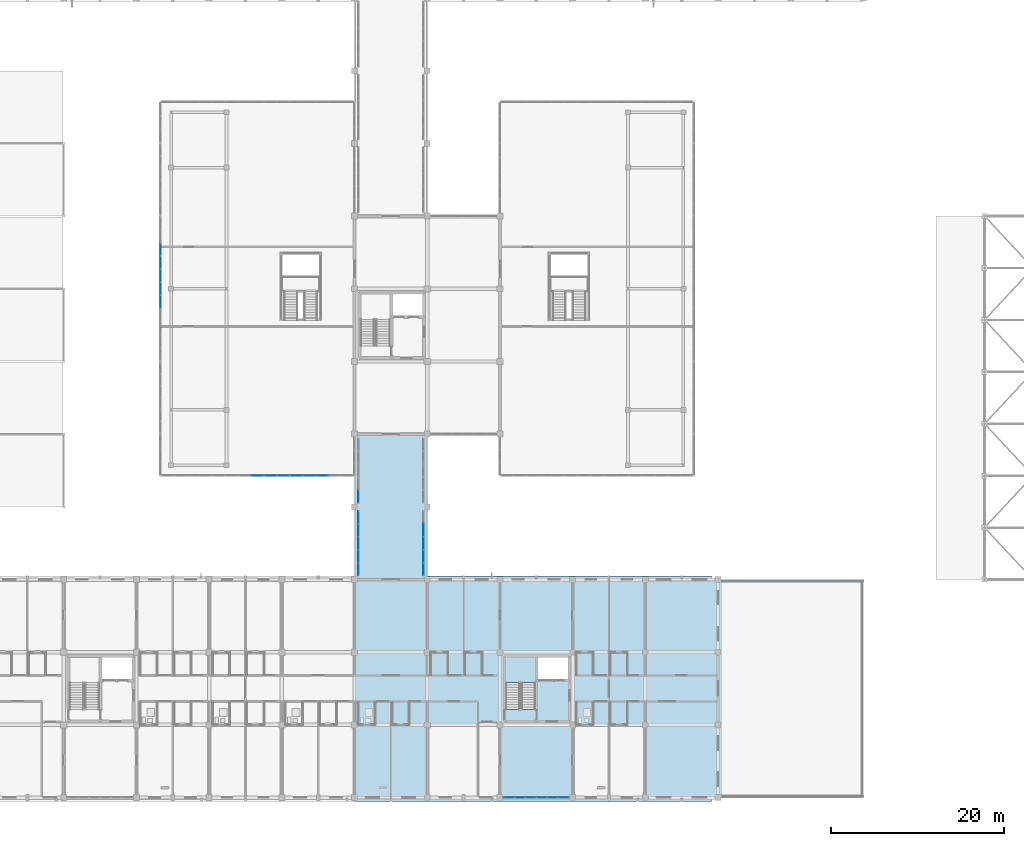
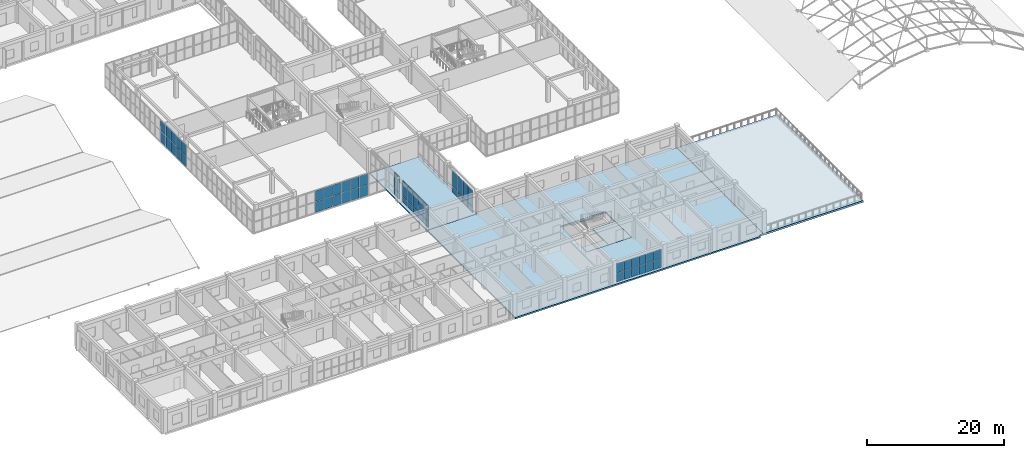
# One storey, part 97 of 140: 54 plates, 6 slabs, 8 elements without a shape of their own.
"""IFC4 building model written with IfcOpenShell, lengths in metres."""

from ifc_helpers import new_model, si_unit, direction, frame, origin, origin_2d, place, context, subcontext, project, spatial, polyline, rectangle, outline, extrude, material, layer, layer_set, type_object, element, aggregate, save


model = new_model("IFC4")

# Units and contexts
model_context = context("Model", 3, precision=1e-05, world=origin(), true_north=direction((0.0, 1.0)))
body_context = subcontext(model_context, "Body", "Model", "MODEL_VIEW")
ifc_project = project(units=[si_unit("LENGTHUNIT", "METRE"), si_unit("AREAUNIT", "SQUARE_METRE"), si_unit("VOLUMEUNIT", "CUBIC_METRE"), si_unit("PLANEANGLEUNIT", "RADIAN"), si_unit("MASSUNIT", "GRAM", prefix="KILO")], contexts=[model_context])

# Site, building, storey
site_placement = place(None, origin())
site = spatial("IfcSite", under=ifc_project, at=site_placement, CompositionType="ELEMENT")
building_placement = place(site_placement, origin())
building = spatial("IfcBuilding", under=site, at=building_placement, Name="Trelvath General Hospital", CompositionType="ELEMENT")
storey_placement = place(building_placement, frame((0.0, 0.0, 16.199951171875)))
storey = spatial("IfcBuildingStorey", under=building, at=storey_placement, Name="L04", CompositionType="ELEMENT", Elevation=16.199951171875)

# Slab
ifc_material_1 = material(Name="Concrete C35/45", Category="concrete")
ifc_layer_1 = layer(ifc_material_1, 0.18994140625)
ifc_layer_set_1 = layer_set([ifc_layer_1], Name="Concrete C35/45")
slab_type_1 = type_object("IfcSlabType", Name="BridgeDeck 190", PredefinedType="FLOOR", material=ifc_layer_set_1)
slab_1_placement = place(storey_placement, frame((0.0, 0.0, -0.18994140625)))
element("IfcSlab", 1, at=slab_1_placement, inside=storey, type_object=slab_type_1, Name="Courtyard Bridge Deck BRG-S-C L04", PredefinedType="FLOOR", context=body_context, shape_type="SweptSolid", body=[
    extrude(outline(polyline([(75.60009765625, 25.199951171875), (84.0, 25.199951171875), (84.0, 42.0), (75.60009765625, 42.0), (75.60009765625, 25.199951171875)])), origin(), (0.0, 0.0, 1.0), 0.18994140625),
])

# Curtain wall, plates
ifc_material_2 = material(Name="Anodised aluminium and low-E glass", Category="aluminium")
ifc_layer_2 = layer(ifc_material_2, 0.14990234375)
ifc_layer_set_2 = layer_set([ifc_layer_2], Name="Anodised aluminium and low-E glass")
curtain_wall_type_1 = type_object("IfcCurtainWallType", Name="CW Facade 761 332 15", PredefinedType="USERDEFINED", material=ifc_layer_set_2)
curtain_wall_1_placement = place(storey_placement, origin())
curtain_wall_1 = element("IfcCurtainWall", 2, at=curtain_wall_1_placement, inside=storey, type_object=curtain_wall_type_1, Name="Facade Curtain Wall CW-066", ObjectType="Unitised Glazed Curtain Wall", PredefinedType="USERDEFINED")
ifc_material_3 = material(Name="Low-E laminated glass", Category="glass")
ifc_layer_3 = layer(ifc_material_3, 0.028076171875)
ifc_layer_set_3 = layer_set([ifc_layer_3], Name="Low-E laminated glass")
plate_type = type_object("IfcPlateType", Name="CurtainPanel Glass28", PredefinedType="CURTAIN_PANEL", material=ifc_layer_set_3)
plate_1_placement = place(storey_placement, frame((99.755859375, 0.0, 0.06005859375), z_axis=(0.0, 0.0, 1.0), x_axis=(-1.0, 0.0, 0.0)))
plate_1 = element("IfcPlate", 3, at=plate_1_placement, type_object=plate_type, Name="CW-066 panel 1.1", PredefinedType="CURTAIN_PANEL", context=body_context, shape_type="SweptSolid", body=[
    extrude(rectangle(XDim=1.17822265625, YDim=0.028076171875, at=origin_2d()), origin(), (0.0, 0.0, 1.0), 1.50390625),
])
plate_2_placement = place(storey_placement, frame((99.755859375, 0.0, 1.6240234375), z_axis=(0.0, 0.0, 1.0), x_axis=(-1.0, 0.0, 0.0)))
plate_2 = element("IfcPlate", 4, at=plate_2_placement, type_object=plate_type, Name="CW-066 panel 1.2", PredefinedType="CURTAIN_PANEL", context=body_context, shape_type="SweptSolid", body=[
    extrude(rectangle(XDim=1.17822265625, YDim=0.028076171875, at=origin_2d()), origin(), (0.0, 0.0, 1.0), 1.635986328125),
])
plate_3_placement = place(storey_placement, frame((98.50244140625, 0.0, 0.06005859375), z_axis=(0.0, 0.0, 1.0), x_axis=(-1.0, 0.0, 0.0)))
plate_3 = element("IfcPlate", 5, at=plate_3_placement, type_object=plate_type, Name="CW-066 panel 2.1", PredefinedType="CURTAIN_PANEL", context=body_context, shape_type="SweptSolid", body=[
    extrude(rectangle(XDim=1.208251953125, YDim=0.028076171875, at=origin_2d()), origin(), (0.0, 0.0, 1.0), 1.50390625),
])
plate_4_placement = place(storey_placement, frame((98.50244140625, 0.0, 1.6240234375), z_axis=(0.0, 0.0, 1.0), x_axis=(-1.0, 0.0, 0.0)))
plate_4 = element("IfcPlate", 6, at=plate_4_placement, type_object=plate_type, Name="CW-066 panel 2.2", PredefinedType="CURTAIN_PANEL", context=body_context, shape_type="SweptSolid", body=[
    extrude(rectangle(XDim=1.208251953125, YDim=0.028076171875, at=origin_2d()), origin(), (0.0, 0.0, 1.0), 1.635986328125),
])
plate_5_placement = place(storey_placement, frame((97.234130859375, 0.0, 0.06005859375), z_axis=(0.0, 0.0, 1.0), x_axis=(-1.0, 0.0, 0.0)))
plate_5 = element("IfcPlate", 7, at=plate_5_placement, type_object=plate_type, Name="CW-066 panel 3.1", PredefinedType="CURTAIN_PANEL", context=body_context, shape_type="SweptSolid", body=[
    extrude(rectangle(XDim=1.208251953125, YDim=0.028076171875, at=origin_2d()), origin(), (0.0, 0.0, 1.0), 1.50390625),
])
plate_6_placement = place(storey_placement, frame((97.234130859375, 0.0, 1.6240234375), z_axis=(0.0, 0.0, 1.0), x_axis=(-1.0, 0.0, 0.0)))
plate_6 = element("IfcPlate", 8, at=plate_6_placement, type_object=plate_type, Name="CW-066 panel 3.2", PredefinedType="CURTAIN_PANEL", context=body_context, shape_type="SweptSolid", body=[
    extrude(rectangle(XDim=1.208251953125, YDim=0.028076171875, at=origin_2d()), origin(), (0.0, 0.0, 1.0), 1.635986328125),
])
plate_7_placement = place(storey_placement, frame((95.9658203125, 0.0, 0.06005859375), z_axis=(0.0, 0.0, 1.0), x_axis=(-1.0, 0.0, 0.0)))
plate_7 = element("IfcPlate", 9, at=plate_7_placement, type_object=plate_type, Name="CW-066 panel 4.1", PredefinedType="CURTAIN_PANEL", context=body_context, shape_type="SweptSolid", body=[
    extrude(rectangle(XDim=1.208251953125, YDim=0.028076171875, at=origin_2d()), origin(), (0.0, 0.0, 1.0), 1.50390625),
])
plate_8_placement = place(storey_placement, frame((95.9658203125, 0.0, 1.6240234375), z_axis=(0.0, 0.0, 1.0), x_axis=(-1.0, 0.0, 0.0)))
plate_8 = element("IfcPlate", 10, at=plate_8_placement, type_object=plate_type, Name="CW-066 panel 4.2", PredefinedType="CURTAIN_PANEL", context=body_context, shape_type="SweptSolid", body=[
    extrude(rectangle(XDim=1.208251953125, YDim=0.028076171875, at=origin_2d()), origin(), (0.0, 0.0, 1.0), 1.635986328125),
])
plate_9_placement = place(storey_placement, frame((94.697509765625, 0.0, 0.06005859375), z_axis=(0.0, 0.0, 1.0), x_axis=(-1.0, 0.0, 0.0)))
plate_9 = element("IfcPlate", 11, at=plate_9_placement, type_object=plate_type, Name="CW-066 panel 5.1", PredefinedType="CURTAIN_PANEL", context=body_context, shape_type="SweptSolid", body=[
    extrude(rectangle(XDim=1.208251953125, YDim=0.028076171875, at=origin_2d()), origin(), (0.0, 0.0, 1.0), 1.50390625),
])
plate_10_placement = place(storey_placement, frame((94.697509765625, 0.0, 1.6240234375), z_axis=(0.0, 0.0, 1.0), x_axis=(-1.0, 0.0, 0.0)))
plate_10 = element("IfcPlate", 12, at=plate_10_placement, type_object=plate_type, Name="CW-066 panel 5.2", PredefinedType="CURTAIN_PANEL", context=body_context, shape_type="SweptSolid", body=[
    extrude(rectangle(XDim=1.208251953125, YDim=0.028076171875, at=origin_2d()), origin(), (0.0, 0.0, 1.0), 1.635986328125),
])
plate_11_placement = place(storey_placement, frame((93.444091796875, 0.0, 0.06005859375), z_axis=(0.0, 0.0, 1.0), x_axis=(-1.0, 0.0, 0.0)))
plate_11 = element("IfcPlate", 13, at=plate_11_placement, type_object=plate_type, Name="CW-066 panel 6.1", PredefinedType="CURTAIN_PANEL", context=body_context, shape_type="SweptSolid", body=[
    extrude(rectangle(XDim=1.17822265625, YDim=0.028076171875, at=origin_2d()), origin(), (0.0, 0.0, 1.0), 1.50390625),
])
plate_12_placement = place(storey_placement, frame((93.444091796875, 0.0, 1.6240234375), z_axis=(0.0, 0.0, 1.0), x_axis=(-1.0, 0.0, 0.0)))
plate_12 = element("IfcPlate", 14, at=plate_12_placement, type_object=plate_type, Name="CW-066 panel 6.2", PredefinedType="CURTAIN_PANEL", context=body_context, shape_type="SweptSolid", body=[
    extrude(rectangle(XDim=1.17822265625, YDim=0.028076171875, at=origin_2d()), origin(), (0.0, 0.0, 1.0), 1.635986328125),
])
aggregate(curtain_wall_1, [plate_1, plate_2, plate_3, plate_4, plate_5, plate_6, plate_7, plate_8, plate_9, plate_10, plate_11, plate_12])

ifc_material_4 = material(Name="Anodised aluminium and low-E glass", Category="aluminium")
ifc_layer_4 = layer(ifc_material_4, 0.139892578125)
ifc_layer_set_4 = layer_set([ifc_layer_4], Name="Anodised aluminium and low-E glass")
curtain_wall_type_2 = type_object("IfcCurtainWallType", Name="CW CrystalCube 743 396 14", PredefinedType="USERDEFINED", material=ifc_layer_set_4)
curtain_wall_2_placement = place(storey_placement, origin())
curtain_wall_2 = element("IfcCurtainWall", 15, at=curtain_wall_2_placement, inside=storey, type_object=curtain_wall_type_2, Name="Crystal Cube Curtain Wall CUBE-W-T1 S2 L04", ObjectType="Unitised Glazed Curtain Wall", PredefinedType="USERDEFINED")
plate_13_placement = place(storey_placement, frame((67.355712890625, 37.199951171875, 0.06005859375), z_axis=(0.0, 0.0, 1.0), x_axis=(-1.0, 0.0, 0.0)))
plate_13 = element("IfcPlate", 16, at=plate_13_placement, type_object=plate_type, Name="CW-269 panel 1.1", PredefinedType="CURTAIN_PANEL", context=body_context, shape_type="SweptSolid", body=[
    extrude(rectangle(XDim=1.395263671875, YDim=0.028076171875, at=origin_2d()), origin(), (0.0, 0.0, 1.0), 1.889892578125),
])
plate_14_placement = place(storey_placement, frame((67.355712890625, 37.199951171875, 2.01025390625), z_axis=(0.0, 0.0, 1.0), x_axis=(-1.0, 0.0, 0.0)))
plate_14 = element("IfcPlate", 17, at=plate_14_placement, type_object=plate_type, Name="CW-269 panel 1.2", PredefinedType="CURTAIN_PANEL", context=body_context, shape_type="SweptSolid", body=[
    extrude(rectangle(XDim=1.395263671875, YDim=0.028076171875, at=origin_2d()), origin(), (0.0, 0.0, 1.0), 1.889892578125),
])
plate_15_placement = place(storey_placement, frame((65.88525390625, 37.199951171875, 0.06005859375), z_axis=(0.0, 0.0, 1.0), x_axis=(-1.0, 0.0, 0.0)))
plate_15 = element("IfcPlate", 18, at=plate_15_placement, type_object=plate_type, Name="CW-269 panel 2.1", PredefinedType="CURTAIN_PANEL", context=body_context, shape_type="SweptSolid", body=[
    extrude(rectangle(XDim=1.42529296875, YDim=0.028076171875, at=origin_2d()), origin(), (0.0, 0.0, 1.0), 1.889892578125),
])
plate_16_placement = place(storey_placement, frame((65.88525390625, 37.199951171875, 2.01025390625), z_axis=(0.0, 0.0, 1.0), x_axis=(-1.0, 0.0, 0.0)))
plate_16 = element("IfcPlate", 19, at=plate_16_placement, type_object=plate_type, Name="CW-269 panel 2.2", PredefinedType="CURTAIN_PANEL", context=body_context, shape_type="SweptSolid", body=[
    extrude(rectangle(XDim=1.42529296875, YDim=0.028076171875, at=origin_2d()), origin(), (0.0, 0.0, 1.0), 1.889892578125),
])
plate_17_placement = place(storey_placement, frame((64.39990234375, 37.199951171875, 0.06005859375), z_axis=(0.0, 0.0, 1.0), x_axis=(-1.0, 0.0, 0.0)))
plate_17 = element("IfcPlate", 20, at=plate_17_placement, type_object=plate_type, Name="CW-269 panel 3.1", PredefinedType="CURTAIN_PANEL", context=body_context, shape_type="SweptSolid", body=[
    extrude(rectangle(XDim=1.42529296875, YDim=0.028076171875, at=origin_2d()), origin(), (0.0, 0.0, 1.0), 1.889892578125),
])
plate_18_placement = place(storey_placement, frame((64.39990234375, 37.199951171875, 2.01025390625), z_axis=(0.0, 0.0, 1.0), x_axis=(-1.0, 0.0, 0.0)))
plate_18 = element("IfcPlate", 21, at=plate_18_placement, type_object=plate_type, Name="CW-269 panel 3.2", PredefinedType="CURTAIN_PANEL", context=body_context, shape_type="SweptSolid", body=[
    extrude(rectangle(XDim=1.42529296875, YDim=0.028076171875, at=origin_2d()), origin(), (0.0, 0.0, 1.0), 1.889892578125),
])
aggregate(curtain_wall_2, [plate_13, plate_14, plate_15, plate_16, plate_17, plate_18])

ifc_material_5 = material(Name="Anodised aluminium and low-E glass", Category="aluminium")
ifc_layer_5 = layer(ifc_material_5, 0.139892578125)
ifc_layer_set_5 = layer_set([ifc_layer_5], Name="Anodised aluminium and low-E glass")
curtain_wall_type_3 = type_object("IfcCurtainWallType", Name="CW CrystalCube 737 396 14", PredefinedType="USERDEFINED", material=ifc_layer_set_5)
curtain_wall_3_placement = place(storey_placement, origin())
curtain_wall_3 = element("IfcCurtainWall", 22, at=curtain_wall_3_placement, inside=storey, type_object=curtain_wall_type_3, Name="Crystal Cube Curtain Wall CUBE-W-T1 S3 L04", ObjectType="Unitised Glazed Curtain Wall", PredefinedType="USERDEFINED")
plate_19_placement = place(storey_placement, frame((71.836669921875, 37.199951171875, 0.06005859375), z_axis=(0.0, 0.0, 1.0), x_axis=(-1.0, 0.0, 0.0)))
plate_19 = element("IfcPlate", 23, at=plate_19_placement, type_object=plate_type, Name="CW-270 panel 3.1", PredefinedType="CURTAIN_PANEL", context=body_context, shape_type="SweptSolid", body=[
    extrude(rectangle(XDim=1.413330078125, YDim=0.028076171875, at=origin_2d()), origin(), (0.0, 0.0, 1.0), 1.889892578125),
])
plate_20_placement = place(storey_placement, frame((71.836669921875, 37.199951171875, 2.01025390625), z_axis=(0.0, 0.0, 1.0), x_axis=(-1.0, 0.0, 0.0)))
plate_20 = element("IfcPlate", 24, at=plate_20_placement, type_object=plate_type, Name="CW-270 panel 3.2", PredefinedType="CURTAIN_PANEL", context=body_context, shape_type="SweptSolid", body=[
    extrude(rectangle(XDim=1.413330078125, YDim=0.028076171875, at=origin_2d()), origin(), (0.0, 0.0, 1.0), 1.889892578125),
])
plate_21_placement = place(storey_placement, frame((70.36328125, 37.199951171875, 0.06005859375), z_axis=(0.0, 0.0, 1.0), x_axis=(-1.0, 0.0, 0.0)))
plate_21 = element("IfcPlate", 25, at=plate_21_placement, type_object=plate_type, Name="CW-270 panel 4.1", PredefinedType="CURTAIN_PANEL", context=body_context, shape_type="SweptSolid", body=[
    extrude(rectangle(XDim=1.413330078125, YDim=0.028076171875, at=origin_2d()), origin(), (0.0, 0.0, 1.0), 1.889892578125),
])
plate_22_placement = place(storey_placement, frame((70.36328125, 37.199951171875, 2.01025390625), z_axis=(0.0, 0.0, 1.0), x_axis=(-1.0, 0.0, 0.0)))
plate_22 = element("IfcPlate", 26, at=plate_22_placement, type_object=plate_type, Name="CW-270 panel 4.2", PredefinedType="CURTAIN_PANEL", context=body_context, shape_type="SweptSolid", body=[
    extrude(rectangle(XDim=1.413330078125, YDim=0.028076171875, at=origin_2d()), origin(), (0.0, 0.0, 1.0), 1.889892578125),
])
plate_23_placement = place(storey_placement, frame((68.905029296875, 37.199951171875, 0.06005859375), z_axis=(0.0, 0.0, 1.0), x_axis=(-1.0, 0.0, 0.0)))
plate_23 = element("IfcPlate", 27, at=plate_23_placement, type_object=plate_type, Name="CW-270 panel 5.1", PredefinedType="CURTAIN_PANEL", context=body_context, shape_type="SweptSolid", body=[
    extrude(rectangle(XDim=1.38330078125, YDim=0.028076171875, at=origin_2d()), origin(), (0.0, 0.0, 1.0), 1.889892578125),
])
plate_24_placement = place(storey_placement, frame((68.905029296875, 37.199951171875, 2.01025390625), z_axis=(0.0, 0.0, 1.0), x_axis=(-1.0, 0.0, 0.0)))
plate_24 = element("IfcPlate", 28, at=plate_24_placement, type_object=plate_type, Name="CW-270 panel 5.2", PredefinedType="CURTAIN_PANEL", context=body_context, shape_type="SweptSolid", body=[
    extrude(rectangle(XDim=1.38330078125, YDim=0.028076171875, at=origin_2d()), origin(), (0.0, 0.0, 1.0), 1.889892578125),
])
aggregate(curtain_wall_3, [plate_19, plate_20, plate_21, plate_22, plate_23, plate_24])

ifc_material_6 = material(Name="Anodised aluminium and low-E glass", Category="aluminium")
ifc_layer_6 = layer(ifc_material_6, 0.139892578125)
ifc_layer_set_6 = layer_set([ifc_layer_6], Name="Anodised aluminium and low-E glass")
curtain_wall_type_4 = type_object("IfcCurtainWallType", Name="CW CrystalCube 1664 396 14", PredefinedType="USERDEFINED", material=ifc_layer_set_6)
curtain_wall_4_placement = place(storey_placement, origin())
curtain_wall_4 = element("IfcCurtainWall", 29, at=curtain_wall_4_placement, inside=storey, type_object=curtain_wall_type_4, Name="Crystal Cube Curtain Wall CUBE-W-T1 W3 L04", ObjectType="Unitised Glazed Curtain Wall", PredefinedType="USERDEFINED")
plate_25_placement = place(storey_placement, frame((53.199951171875, 57.287353515625, 0.06005859375), z_axis=(0.0, 0.0, 1.0), x_axis=(0.0, 1.0, 0.0)))
plate_25 = element("IfcPlate", 30, at=plate_25_placement, type_object=plate_type, Name="CW-277 panel 5.1", PredefinedType="CURTAIN_PANEL", context=body_context, shape_type="SweptSolid", body=[
    extrude(rectangle(XDim=1.45263671875, YDim=0.028076171875, at=origin_2d()), origin(), (0.0, 0.0, 1.0), 1.889892578125),
])
plate_26_placement = place(storey_placement, frame((53.199951171875, 57.287353515625, 2.01025390625), z_axis=(0.0, 0.0, 1.0), x_axis=(0.0, 1.0, 0.0)))
plate_26 = element("IfcPlate", 31, at=plate_26_placement, type_object=plate_type, Name="CW-277 panel 5.2", PredefinedType="CURTAIN_PANEL", context=body_context, shape_type="SweptSolid", body=[
    extrude(rectangle(XDim=1.45263671875, YDim=0.028076171875, at=origin_2d()), origin(), (0.0, 0.0, 1.0), 1.889892578125),
])
plate_27_placement = place(storey_placement, frame((53.199951171875, 58.800048828125, 0.06005859375), z_axis=(0.0, 0.0, 1.0), x_axis=(0.0, 1.0, 0.0)))
plate_27 = element("IfcPlate", 32, at=plate_27_placement, type_object=plate_type, Name="CW-277 panel 6.1", PredefinedType="CURTAIN_PANEL", context=body_context, shape_type="SweptSolid", body=[
    extrude(rectangle(XDim=1.45263671875, YDim=0.028076171875, at=origin_2d()), origin(), (0.0, 0.0, 1.0), 1.889892578125),
])
plate_28_placement = place(storey_placement, frame((53.199951171875, 58.800048828125, 2.01025390625), z_axis=(0.0, 0.0, 1.0), x_axis=(0.0, 1.0, 0.0)))
plate_28 = element("IfcPlate", 33, at=plate_28_placement, type_object=plate_type, Name="CW-277 panel 6.2", PredefinedType="CURTAIN_PANEL", context=body_context, shape_type="SweptSolid", body=[
    extrude(rectangle(XDim=1.45263671875, YDim=0.028076171875, at=origin_2d()), origin(), (0.0, 0.0, 1.0), 1.889892578125),
])
plate_29_placement = place(storey_placement, frame((53.199951171875, 60.312744140625, 0.06005859375), z_axis=(0.0, 0.0, 1.0), x_axis=(0.0, 1.0, 0.0)))
plate_29 = element("IfcPlate", 34, at=plate_29_placement, type_object=plate_type, Name="CW-277 panel 7.1", PredefinedType="CURTAIN_PANEL", context=body_context, shape_type="SweptSolid", body=[
    extrude(rectangle(XDim=1.45263671875, YDim=0.028076171875, at=origin_2d()), origin(), (0.0, 0.0, 1.0), 1.889892578125),
])
plate_30_placement = place(storey_placement, frame((53.199951171875, 60.312744140625, 2.01025390625), z_axis=(0.0, 0.0, 1.0), x_axis=(0.0, 1.0, 0.0)))
plate_30 = element("IfcPlate", 35, at=plate_30_placement, type_object=plate_type, Name="CW-277 panel 7.2", PredefinedType="CURTAIN_PANEL", context=body_context, shape_type="SweptSolid", body=[
    extrude(rectangle(XDim=1.45263671875, YDim=0.028076171875, at=origin_2d()), origin(), (0.0, 0.0, 1.0), 1.889892578125),
])
plate_31_placement = place(storey_placement, frame((53.199951171875, 61.825439453125, 0.06005859375), z_axis=(0.0, 0.0, 1.0), x_axis=(0.0, 1.0, 0.0)))
plate_31 = element("IfcPlate", 36, at=plate_31_placement, type_object=plate_type, Name="CW-277 panel 8.1", PredefinedType="CURTAIN_PANEL", context=body_context, shape_type="SweptSolid", body=[
    extrude(rectangle(XDim=1.45263671875, YDim=0.028076171875, at=origin_2d()), origin(), (0.0, 0.0, 1.0), 1.889892578125),
])
plate_32_placement = place(storey_placement, frame((53.199951171875, 61.825439453125, 2.01025390625), z_axis=(0.0, 0.0, 1.0), x_axis=(0.0, 1.0, 0.0)))
plate_32 = element("IfcPlate", 37, at=plate_32_placement, type_object=plate_type, Name="CW-277 panel 8.2", PredefinedType="CURTAIN_PANEL", context=body_context, shape_type="SweptSolid", body=[
    extrude(rectangle(XDim=1.45263671875, YDim=0.028076171875, at=origin_2d()), origin(), (0.0, 0.0, 1.0), 1.889892578125),
])
plate_33_placement = place(storey_placement, frame((53.199951171875, 63.338134765625, 0.06005859375), z_axis=(0.0, 0.0, 1.0), x_axis=(0.0, 1.0, 0.0)))
plate_33 = element("IfcPlate", 38, at=plate_33_placement, type_object=plate_type, Name="CW-277 panel 9.1", PredefinedType="CURTAIN_PANEL", context=body_context, shape_type="SweptSolid", body=[
    extrude(rectangle(XDim=1.45263671875, YDim=0.028076171875, at=origin_2d()), origin(), (0.0, 0.0, 1.0), 1.889892578125),
])
plate_34_placement = place(storey_placement, frame((53.199951171875, 63.338134765625, 2.01025390625), z_axis=(0.0, 0.0, 1.0), x_axis=(0.0, 1.0, 0.0)))
plate_34 = element("IfcPlate", 39, at=plate_34_placement, type_object=plate_type, Name="CW-277 panel 9.2", PredefinedType="CURTAIN_PANEL", context=body_context, shape_type="SweptSolid", body=[
    extrude(rectangle(XDim=1.45263671875, YDim=0.028076171875, at=origin_2d()), origin(), (0.0, 0.0, 1.0), 1.889892578125),
])
aggregate(curtain_wall_4, [plate_25, plate_26, plate_27, plate_28, plate_29, plate_30, plate_31, plate_32, plate_33, plate_34])

ifc_material_7 = material(Name="Anodised aluminium and low-E glass", Category="aluminium")
ifc_layer_7 = layer(ifc_material_7, 0.139892578125)
ifc_layer_set_7 = layer_set([ifc_layer_7], Name="Anodised aluminium and low-E glass")
curtain_wall_type_5 = type_object("IfcCurtainWallType", Name="CW Bridge 752 401", PredefinedType="USERDEFINED", material=ifc_layer_set_7)
curtain_wall_5_placement = place(storey_placement, origin())
curtain_wall_5 = element("IfcCurtainWall", 40, at=curtain_wall_5_placement, inside=storey, type_object=curtain_wall_type_5, Name="Glazed Bridge Curtain Wall BRG-S-C W L04", ObjectType="Unitised Glazed Curtain Wall", PredefinedType="USERDEFINED")
plate_35_placement = place(storey_placement, frame((76.0400390625, 26.406982421875, 0.06005859375), z_axis=(0.0, 0.0, 1.0), x_axis=(0.0, 1.0, 0.0)))
plate_35 = element("IfcPlate", 41, at=plate_35_placement, type_object=plate_type, Name="CW-302 panel 1.1", PredefinedType="CURTAIN_PANEL", context=body_context, shape_type="SweptSolid", body=[
    extrude(rectangle(XDim=1.4140625, YDim=0.028076171875, at=origin_2d()), origin(), (0.0, 0.0, 1.0), 1.010009765625),
])
plate_36_placement = place(storey_placement, frame((76.0400390625, 26.406982421875, 1.1298828125), z_axis=(0.0, 0.0, 1.0), x_axis=(0.0, 1.0, 0.0)))
plate_36 = element("IfcPlate", 42, at=plate_36_placement, type_object=plate_type, Name="CW-302 panel 1.2", PredefinedType="CURTAIN_PANEL", context=body_context, shape_type="SweptSolid", body=[
    extrude(rectangle(XDim=1.4140625, YDim=0.028076171875, at=origin_2d()), origin(), (0.0, 0.0, 1.0), 2.820068359375),
])
plate_37_placement = place(storey_placement, frame((76.0400390625, 27.89599609375, 0.06005859375), z_axis=(0.0, 0.0, 1.0), x_axis=(0.0, 1.0, 0.0)))
plate_37 = element("IfcPlate", 43, at=plate_37_placement, type_object=plate_type, Name="CW-302 panel 2.1", PredefinedType="CURTAIN_PANEL", context=body_context, shape_type="SweptSolid", body=[
    extrude(rectangle(XDim=1.444091796875, YDim=0.028076171875, at=origin_2d()), origin(), (0.0, 0.0, 1.0), 1.010009765625),
])
plate_38_placement = place(storey_placement, frame((76.0400390625, 27.89599609375, 1.1298828125), z_axis=(0.0, 0.0, 1.0), x_axis=(0.0, 1.0, 0.0)))
plate_38 = element("IfcPlate", 44, at=plate_38_placement, type_object=plate_type, Name="CW-302 panel 2.2", PredefinedType="CURTAIN_PANEL", context=body_context, shape_type="SweptSolid", body=[
    extrude(rectangle(XDim=1.444091796875, YDim=0.028076171875, at=origin_2d()), origin(), (0.0, 0.0, 1.0), 2.820068359375),
])
plate_39_placement = place(storey_placement, frame((76.0400390625, 29.39990234375, 0.06005859375), z_axis=(0.0, 0.0, 1.0), x_axis=(0.0, 1.0, 0.0)))
plate_39 = element("IfcPlate", 45, at=plate_39_placement, type_object=plate_type, Name="CW-302 panel 3.1", PredefinedType="CURTAIN_PANEL", context=body_context, shape_type="SweptSolid", body=[
    extrude(rectangle(XDim=1.444091796875, YDim=0.028076171875, at=origin_2d()), origin(), (0.0, 0.0, 1.0), 1.010009765625),
])
plate_40_placement = place(storey_placement, frame((76.0400390625, 29.39990234375, 1.1298828125), z_axis=(0.0, 0.0, 1.0), x_axis=(0.0, 1.0, 0.0)))
plate_40 = element("IfcPlate", 46, at=plate_40_placement, type_object=plate_type, Name="CW-302 panel 3.2", PredefinedType="CURTAIN_PANEL", context=body_context, shape_type="SweptSolid", body=[
    extrude(rectangle(XDim=1.444091796875, YDim=0.028076171875, at=origin_2d()), origin(), (0.0, 0.0, 1.0), 2.820068359375),
])
plate_41_placement = place(storey_placement, frame((76.0400390625, 30.904052734375, 0.06005859375), z_axis=(0.0, 0.0, 1.0), x_axis=(0.0, 1.0, 0.0)))
plate_41 = element("IfcPlate", 47, at=plate_41_placement, type_object=plate_type, Name="CW-302 panel 4.1", PredefinedType="CURTAIN_PANEL", context=body_context, shape_type="SweptSolid", body=[
    extrude(rectangle(XDim=1.444091796875, YDim=0.028076171875, at=origin_2d()), origin(), (0.0, 0.0, 1.0), 1.010009765625),
])
plate_42_placement = place(storey_placement, frame((76.0400390625, 30.904052734375, 1.1298828125), z_axis=(0.0, 0.0, 1.0), x_axis=(0.0, 1.0, 0.0)))
plate_42 = element("IfcPlate", 48, at=plate_42_placement, type_object=plate_type, Name="CW-302 panel 4.2", PredefinedType="CURTAIN_PANEL", context=body_context, shape_type="SweptSolid", body=[
    extrude(rectangle(XDim=1.444091796875, YDim=0.028076171875, at=origin_2d()), origin(), (0.0, 0.0, 1.0), 2.820068359375),
])
plate_43_placement = place(storey_placement, frame((76.0400390625, 32.39306640625, 0.06005859375), z_axis=(0.0, 0.0, 1.0), x_axis=(0.0, 1.0, 0.0)))
plate_43 = element("IfcPlate", 49, at=plate_43_placement, type_object=plate_type, Name="CW-302 panel 5.1", PredefinedType="CURTAIN_PANEL", context=body_context, shape_type="SweptSolid", body=[
    extrude(rectangle(XDim=1.4140625, YDim=0.028076171875, at=origin_2d()), origin(), (0.0, 0.0, 1.0), 1.010009765625),
])
plate_44_placement = place(storey_placement, frame((76.0400390625, 32.39306640625, 1.1298828125), z_axis=(0.0, 0.0, 1.0), x_axis=(0.0, 1.0, 0.0)))
plate_44 = element("IfcPlate", 50, at=plate_44_placement, type_object=plate_type, Name="CW-302 panel 5.2", PredefinedType="CURTAIN_PANEL", context=body_context, shape_type="SweptSolid", body=[
    extrude(rectangle(XDim=1.4140625, YDim=0.028076171875, at=origin_2d()), origin(), (0.0, 0.0, 1.0), 2.820068359375),
])
aggregate(curtain_wall_5, [plate_35, plate_36, plate_37, plate_38, plate_39, plate_40, plate_41, plate_42, plate_43, plate_44])

curtain_wall_6_placement = place(storey_placement, origin())
curtain_wall_6 = element("IfcCurtainWall", 51, at=curtain_wall_6_placement, inside=storey, type_object=curtain_wall_type_5, Name="Glazed Bridge Curtain Wall BRG-S-C E L04", ObjectType="Unitised Glazed Curtain Wall", PredefinedType="USERDEFINED")
plate_45_placement = place(storey_placement, frame((83.56005859375, 30.904052734375, 0.06005859375), z_axis=(0.0, 0.0, 1.0), x_axis=(0.0, -1.0, 0.0)))
plate_45 = element("IfcPlate", 52, at=plate_45_placement, type_object=plate_type, Name="CW-303 panel 2.1", PredefinedType="CURTAIN_PANEL", context=body_context, shape_type="SweptSolid", body=[
    extrude(rectangle(XDim=1.444091796875, YDim=0.028076171875, at=origin_2d()), origin(), (0.0, 0.0, 1.0), 1.010009765625),
])
plate_46_placement = place(storey_placement, frame((83.56005859375, 30.904052734375, 1.1298828125), z_axis=(0.0, 0.0, 1.0), x_axis=(0.0, -1.0, 0.0)))
plate_46 = element("IfcPlate", 53, at=plate_46_placement, type_object=plate_type, Name="CW-303 panel 2.2", PredefinedType="CURTAIN_PANEL", context=body_context, shape_type="SweptSolid", body=[
    extrude(rectangle(XDim=1.444091796875, YDim=0.028076171875, at=origin_2d()), origin(), (0.0, 0.0, 1.0), 2.820068359375),
])
plate_47_placement = place(storey_placement, frame((83.56005859375, 29.39990234375, 0.06005859375), z_axis=(0.0, 0.0, 1.0), x_axis=(0.0, -1.0, 0.0)))
plate_47 = element("IfcPlate", 54, at=plate_47_placement, type_object=plate_type, Name="CW-303 panel 3.1", PredefinedType="CURTAIN_PANEL", context=body_context, shape_type="SweptSolid", body=[
    extrude(rectangle(XDim=1.444091796875, YDim=0.028076171875, at=origin_2d()), origin(), (0.0, 0.0, 1.0), 1.010009765625),
])
plate_48_placement = place(storey_placement, frame((83.56005859375, 29.39990234375, 1.1298828125), z_axis=(0.0, 0.0, 1.0), x_axis=(0.0, -1.0, 0.0)))
plate_48 = element("IfcPlate", 55, at=plate_48_placement, type_object=plate_type, Name="CW-303 panel 3.2", PredefinedType="CURTAIN_PANEL", context=body_context, shape_type="SweptSolid", body=[
    extrude(rectangle(XDim=1.444091796875, YDim=0.028076171875, at=origin_2d()), origin(), (0.0, 0.0, 1.0), 2.820068359375),
])
plate_49_placement = place(storey_placement, frame((83.56005859375, 27.89599609375, 0.06005859375), z_axis=(0.0, 0.0, 1.0), x_axis=(0.0, -1.0, 0.0)))
plate_49 = element("IfcPlate", 56, at=plate_49_placement, type_object=plate_type, Name="CW-303 panel 4.1", PredefinedType="CURTAIN_PANEL", context=body_context, shape_type="SweptSolid", body=[
    extrude(rectangle(XDim=1.444091796875, YDim=0.028076171875, at=origin_2d()), origin(), (0.0, 0.0, 1.0), 1.010009765625),
])
plate_50_placement = place(storey_placement, frame((83.56005859375, 27.89599609375, 1.1298828125), z_axis=(0.0, 0.0, 1.0), x_axis=(0.0, -1.0, 0.0)))
plate_50 = element("IfcPlate", 57, at=plate_50_placement, type_object=plate_type, Name="CW-303 panel 4.2", PredefinedType="CURTAIN_PANEL", context=body_context, shape_type="SweptSolid", body=[
    extrude(rectangle(XDim=1.444091796875, YDim=0.028076171875, at=origin_2d()), origin(), (0.0, 0.0, 1.0), 2.820068359375),
])
plate_51_placement = place(storey_placement, frame((83.56005859375, 26.406982421875, 0.06005859375), z_axis=(0.0, 0.0, 1.0), x_axis=(0.0, -1.0, 0.0)))
plate_51 = element("IfcPlate", 58, at=plate_51_placement, type_object=plate_type, Name="CW-303 panel 5.1", PredefinedType="CURTAIN_PANEL", context=body_context, shape_type="SweptSolid", body=[
    extrude(rectangle(XDim=1.4140625, YDim=0.028076171875, at=origin_2d()), origin(), (0.0, 0.0, 1.0), 1.010009765625),
])
plate_52_placement = place(storey_placement, frame((83.56005859375, 26.406982421875, 1.1298828125), z_axis=(0.0, 0.0, 1.0), x_axis=(0.0, -1.0, 0.0)))
plate_52 = element("IfcPlate", 59, at=plate_52_placement, type_object=plate_type, Name="CW-303 panel 5.2", PredefinedType="CURTAIN_PANEL", context=body_context, shape_type="SweptSolid", body=[
    extrude(rectangle(XDim=1.4140625, YDim=0.028076171875, at=origin_2d()), origin(), (0.0, 0.0, 1.0), 2.820068359375),
])
aggregate(curtain_wall_6, [plate_45, plate_46, plate_47, plate_48, plate_49, plate_50, plate_51, plate_52])

curtain_wall_7_placement = place(storey_placement, origin())
curtain_wall_7 = element("IfcCurtainWall", 60, at=curtain_wall_7_placement, inside=storey, type_object=curtain_wall_type_5, Name="Glazed Bridge Curtain Wall BRG-S-C W L04", ObjectType="Unitised Glazed Curtain Wall", PredefinedType="USERDEFINED")
plate_53_placement = place(storey_placement, frame((76.0400390625, 34.806884765625, 0.06005859375), z_axis=(0.0, 0.0, 1.0), x_axis=(0.0, 1.0, 0.0)))
plate_53 = element("IfcPlate", 61, at=plate_53_placement, type_object=plate_type, Name="CW-304 panel 1.1", PredefinedType="CURTAIN_PANEL", context=body_context, shape_type="SweptSolid", body=[
    extrude(rectangle(XDim=1.4140625, YDim=0.028076171875, at=origin_2d()), origin(), (0.0, 0.0, 1.0), 1.010009765625),
])
plate_54_placement = place(storey_placement, frame((76.0400390625, 34.806884765625, 1.1298828125), z_axis=(0.0, 0.0, 1.0), x_axis=(0.0, 1.0, 0.0)))
plate_54 = element("IfcPlate", 62, at=plate_54_placement, type_object=plate_type, Name="CW-304 panel 1.2", PredefinedType="CURTAIN_PANEL", context=body_context, shape_type="SweptSolid", body=[
    extrude(rectangle(XDim=1.4140625, YDim=0.028076171875, at=origin_2d()), origin(), (0.0, 0.0, 1.0), 2.820068359375),
])
aggregate(curtain_wall_7, [plate_53, plate_54])

# Slabs
ifc_material_8 = material(Name="Concrete C35/45", Category="concrete")
ifc_layer_8 = layer(ifc_material_8, 0.260009765625)
ifc_layer_set_8 = layer_set([ifc_layer_8], Name="Concrete C35/45")
slab_type_2 = type_object("IfcSlabType", Name="FlatSlab Ward260", PredefinedType="FLOOR", material=ifc_layer_set_8)
slab_2_placement = place(storey_placement, frame((0.0, 0.0, -0.260009765625)))
element("IfcSlab", 63, at=slab_2_placement, inside=storey, type_object=slab_type_2, Name="Floor Slab SL-L04-V6-S1", PredefinedType="FLOOR", context=body_context, shape_type="SweptSolid", body=[
    extrude(outline(polyline([(116.85009765625, -0.419921875), (75.6201171875, -0.419921875), (75.6201171875, 25.199951171875), (84.0, 25.199951171875), (84.0, 25.6201171875), (116.85009765625, 25.6201171875), (116.85009765625, 25.199951171875), (117.60009765625, 25.199951171875), (117.60009765625, 0.0), (116.85009765625, 0.0), (116.85009765625, -0.419921875)]), holes=[polyline([(92.949951171875, 8.800048828125), (100.449951171875, 8.800048828125), (100.449951171875, 16.35009765625), (92.949951171875, 16.35009765625), (92.949951171875, 8.800048828125)])]), origin(), (0.0, 0.0, 1.0), 0.260009765625),
])
slab_3_placement = place(storey_placement, frame((0.0, 0.0, -0.260009765625)))
element("IfcSlab", 64, at=slab_3_placement, inside=storey, type_object=slab_type_2, Name="Core Lobby Slab C5 L04", PredefinedType="FLOOR", context=body_context, shape_type="SweptSolid", body=[
    extrude(outline(polyline([(96.64990234375, 8.800048828125), (100.449951171875, 8.800048828125), (100.449951171875, 13.550048828125), (96.64990234375, 13.550048828125), (96.64990234375, 8.800048828125)])), origin(), (0.0, 0.0, 1.0), 0.260009765625),
])
slab_4_placement = place(storey_placement, frame((0.0, 0.0, -0.260009765625)))
element("IfcSlab", 65, at=slab_4_placement, inside=storey, type_object=slab_type_2, Name="Stair Landing Slab C5 L04", PredefinedType="FLOOR", context=body_context, shape_type="SweptSolid", body=[
    extrude(outline(polyline([(92.949951171875, 8.800048828125), (96.64990234375, 8.800048828125), (96.64990234375, 10.199951171875), (92.949951171875, 10.199951171875), (92.949951171875, 8.800048828125)])), origin(), (0.0, 0.0, 1.0), 0.260009765625),
])
ifc_material_9 = material(Name="Concrete C35/45", Category="concrete")
ifc_layer_9 = layer(ifc_material_9, 0.320068359375)
ifc_layer_set_9 = layer_set([ifc_layer_9], Name="Concrete C35/45")
slab_type_3 = type_object("IfcSlabType", Name="PlantedTerraceSlab 320", PredefinedType="ROOF", material=ifc_layer_set_9)
slab_5_placement = place(storey_placement, frame((0.0, 0.0, -0.320068359375)))
element("IfcSlab", 66, at=slab_5_placement, inside=storey, type_object=slab_type_3, Name="Planted Healing Terrace TERR-SW-E4 L04", PredefinedType="ROOF", context=body_context, shape_type="SweptSolid", body=[
    extrude(outline(polyline([(117.60009765625, 0.0), (134.39990234375, 0.0), (134.39990234375, 25.199951171875), (117.60009765625, 25.199951171875), (117.60009765625, 0.0)])), origin(), (0.0, 0.0, 1.0), 0.320068359375),
])

# Stair, slab
ifc_material_10 = material(Name="Concrete C35/45", Category="concrete")
stair_type = type_object("IfcStairType", Name="Stair Stretcher420", PredefinedType="TWO_STRAIGHT_RUN_STAIR", material=ifc_material_10)
stair_placement = place(storey_placement, origin())
stair = element("IfcStair", 67, at=stair_placement, inside=storey, type_object=stair_type, Name="Exit Stair ST5 L04", PredefinedType="TWO_STRAIGHT_RUN_STAIR")
ifc_material_11 = material(Name="Concrete C35/45", Category="concrete")
ifc_layer_10 = layer(ifc_material_11, 0.199951171875)
ifc_layer_set_10 = layer_set([ifc_layer_10], Name="Concrete C35/45")
slab_type_4 = type_object("IfcSlabType", Name="StairLanding 200", PredefinedType="LANDING", material=ifc_layer_set_10)
slab_6_placement = place(storey_placement, frame((0.0, 0.0, 1.900146484375)))
slab_6 = element("IfcSlab", 68, at=slab_6_placement, type_object=slab_type_4, Name="ST5-L04 landing 1", PredefinedType="LANDING", context=body_context, shape_type="SweptSolid", body=[
    extrude(outline(polyline([(92.9599609375, 13.280029296875), (96.639892578125, 13.280029296875), (96.639892578125, 16.340087890625), (92.9599609375, 16.340087890625), (92.9599609375, 13.280029296875)])), origin(), (0.0, 0.0, 1.0), 0.199951171875),
])
aggregate(stair, [slab_6])

save(model, "model.ifc")
